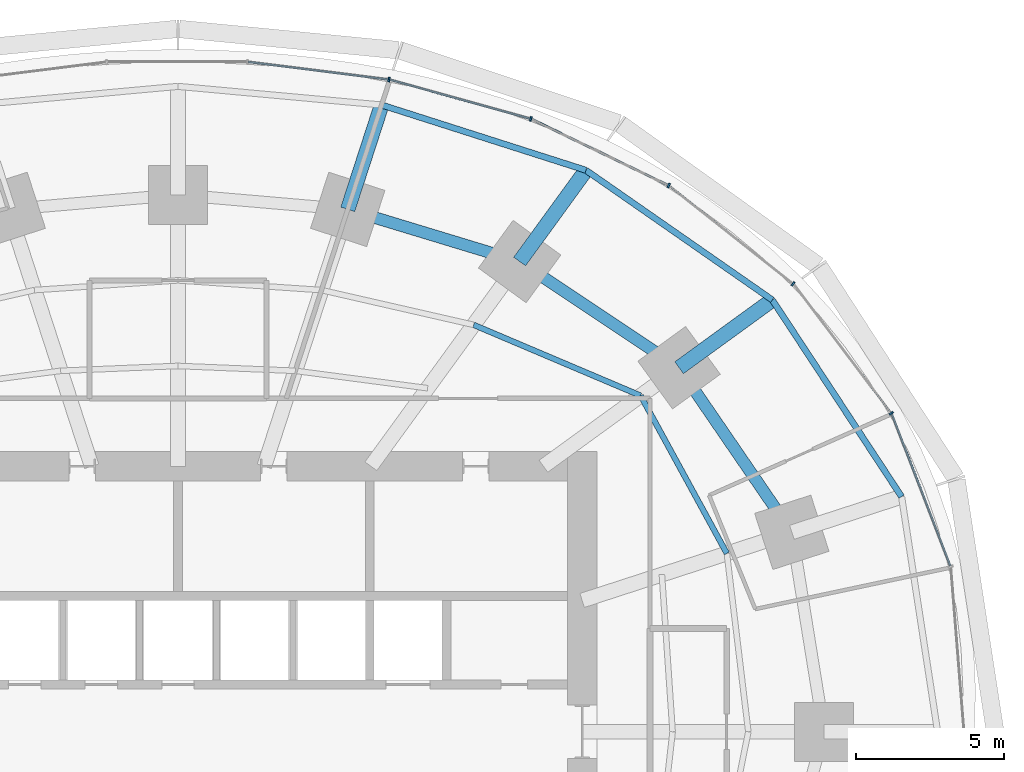
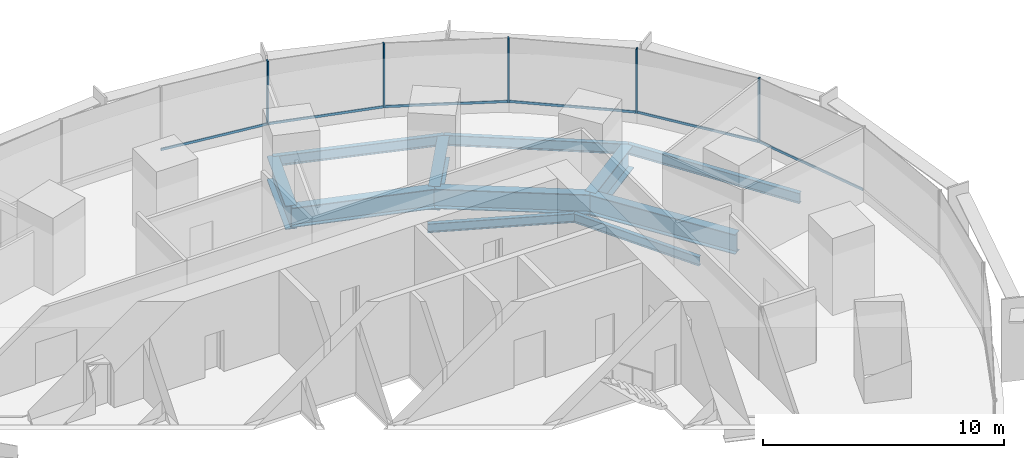
# One storey, part 9 of 15: 11 beams, 11 members, 2 elements without a shape of their own.
"""IFC4 building model written with IfcOpenShell, lengths in metres."""

from ifc_helpers import new_model, si_unit, direction, frame, origin, origin_2d, place, context, subcontext, project, spatial, rectangle, i_section, extrude, material, material_profile, profile_set, type_object, element, aggregate, save


model = new_model("IFC4")

# Units and contexts
model_context = context("Model", 3, precision=1e-05, world=origin(), true_north=direction((0.0, 1.0)))
body_context = subcontext(model_context, "Body", "Model", "MODEL_VIEW")
ifc_project = project(units=[si_unit("LENGTHUNIT", "METRE"), si_unit("AREAUNIT", "SQUARE_METRE"), si_unit("VOLUMEUNIT", "CUBIC_METRE"), si_unit("PLANEANGLEUNIT", "RADIAN"), si_unit("MASSUNIT", "GRAM", prefix="KILO")], contexts=[model_context])

# Site, building, storey
site_placement = place(None, origin())
site = spatial("IfcSite", under=ifc_project, at=site_placement, CompositionType="ELEMENT")
building_placement = place(site_placement, origin())
building = spatial("IfcBuilding", under=site, at=building_placement, Name="Marramba Exchange Tower", CompositionType="ELEMENT")
storey_placement = place(building_placement, frame((0.0, 0.0, 65.800048828125)))
storey = spatial("IfcBuildingStorey", under=building, at=storey_placement, Name="L15", CompositionType="ELEMENT", Elevation=65.800048828125)

# Beams
ifc_material_1 = material(Name="Steel AS/NZS 3679.2 grade 300", Category="steel")
ifc_material_profile_1 = material_profile(ifc_material_1, i_section(OverallWidth=0.5, OverallDepth=1.199951171875, WebThickness=0.01611328125, FlangeThickness=0.0400390625, at=origin_2d()), Name="1200WB455")
ifc_profile_set_1 = profile_set([ifc_material_profile_1], Name="Steel AS/NZS 3679.2 grade 300")
beam_type_1 = type_object("IfcBeamType", Name="Cantilever girder 1200WB455", PredefinedType="BEAM", material=ifc_profile_set_1)
beam_1_placement = place(storey_placement, frame((16.98583984375, 12.3408203125, -0.760009765625), z_axis=(0.808987260856, 0.587826174793, 0.0), x_axis=(-0.587826174793, 0.808987260856, 0.0)))
element("IfcBeam", 1, at=beam_1_placement, inside=storey, type_object=beam_type_1, Name="Cantilever girder L15 TC03", PredefinedType="BEAM", context=body_context, shape_type="SweptSolid", body=[
    extrude(i_section(OverallWidth=0.5, OverallDepth=1.199951171875, WebThickness=0.01611328125, FlangeThickness=0.0400390625, at=origin_2d()), origin(), (0.0, 0.0, 1.0), 3.90771484375),
])
beam_2_placement = place(storey_placement, frame((11.581298828125, 15.9404296875, -0.760009765625), z_axis=(0.587795827483, 0.809009310944, 0.0), x_axis=(-0.809009310944, 0.587795827483, 0.0)))
element("IfcBeam", 2, at=beam_2_placement, inside=storey, type_object=beam_type_1, Name="Cantilever girder L15 TC04", PredefinedType="BEAM", context=body_context, shape_type="SweptSolid", body=[
    extrude(i_section(OverallWidth=0.5, OverallDepth=1.199951171875, WebThickness=0.01611328125, FlangeThickness=0.0400390625, at=origin_2d()), origin(), (0.0, 0.0, 1.0), 3.82421875),
])
beam_3_placement = place(storey_placement, frame((5.75390625, 17.70849609375, -0.760009765625), z_axis=(0.308973290646, 0.951070715387, 0.0), x_axis=(-0.951070715387, 0.308973290646, 0.0)))
element("IfcBeam", 3, at=beam_3_placement, inside=storey, type_object=beam_type_1, Name="Cantilever girder L15 TC05", PredefinedType="BEAM", context=body_context, shape_type="SweptSolid", body=[
    extrude(i_section(OverallWidth=0.5, OverallDepth=1.199951171875, WebThickness=0.01611328125, FlangeThickness=0.0400390625, at=origin_2d()), origin(), (0.0, 0.0, 1.0), 3.72021484375),
])
ifc_material_2 = material(Name="Steel AS/NZS 3679.1 grade 300", Category="steel")
ifc_material_profile_2 = material_profile(ifc_material_2, i_section(OverallWidth=0.18994140625, OverallDepth=0.4541015625, WebThickness=0.008544921875, FlangeThickness=0.0126953125, FilletRadius=0.011474609375, at=origin_2d()), Name="460UB67.1")
ifc_profile_set_2 = profile_set([ifc_material_profile_2], Name="Steel AS/NZS 3679.1 grade 300")
beam_type_2 = type_object("IfcBeamType", Name="Floor joist 460UB67.1", PredefinedType="JOIST", material=ifc_profile_set_2)
beam_4_placement = place(storey_placement, frame((18.60546875, 6.04541015625, -0.386962890625), z_axis=(-0.479584443791, 0.877495732909, 0.0), x_axis=(-0.877495732909, -0.479584443791, 0.0)))
element("IfcBeam", 4, at=beam_4_placement, inside=storey, type_object=beam_type_2, Name="Joist L15 bay 02 row 2", PredefinedType="JOIST", context=body_context, shape_type="SweptSolid", body=[
    extrude(i_section(OverallWidth=0.18994140625, OverallDepth=0.4541015625, WebThickness=0.008544921875, FlangeThickness=0.0126953125, FilletRadius=0.011474609375, at=origin_2d()), origin(), (0.0, 0.0, 1.0), 6.094970703125),
])
beam_5_placement = place(storey_placement, frame((15.682373046875, 11.393798828125, -0.386962890625), z_axis=(-0.920674336375, 0.390331610738, 0.0), x_axis=(-0.390331610738, -0.920674336375, 0.0)))
element("IfcBeam", 5, at=beam_5_placement, inside=storey, type_object=beam_type_2, Name="Joist L15 bay 03 row 2", PredefinedType="JOIST", context=body_context, shape_type="SweptSolid", body=[
    extrude(i_section(OverallWidth=0.18994140625, OverallDepth=0.4541015625, WebThickness=0.008544921875, FlangeThickness=0.0126953125, FilletRadius=0.011474609375, at=origin_2d()), origin(), (0.0, 0.0, 1.0), 6.1484375),
])
ifc_material_profile_3 = material_profile(ifc_material_1, i_section(OverallWidth=0.39990234375, OverallDepth=1.0, WebThickness=0.01611328125, FlangeThickness=0.031982421875, at=origin_2d()), Name="1000WB322")
ifc_profile_set_3 = profile_set([ifc_material_profile_3], Name="Steel AS/NZS 3679.2 grade 300")
beam_type_3 = type_object("IfcBeamType", Name="Ring beam 1000WB322", PredefinedType="SPANDREL", material=ifc_profile_set_3)
beam_6_placement = place(storey_placement, frame((20.808349609375, 6.760986328125, -0.66015625), z_axis=(-0.56516002054, 0.824981303535, 0.0), x_axis=(-0.824981303535, -0.56516002054, 0.0)))
element("IfcBeam", 6, at=beam_6_placement, inside=storey, type_object=beam_type_3, Name="Ring beam L15 TC02-TC03", PredefinedType="SPANDREL", context=body_context, shape_type="SweptSolid", body=[
    extrude(i_section(OverallWidth=0.39990234375, OverallDepth=1.0, WebThickness=0.01611328125, FlangeThickness=0.031982421875, at=origin_2d()), origin(), (0.0, 0.0, 1.0), 6.763671875),
])
beam_7_placement = place(storey_placement, frame((16.98583984375, 12.3408203125, -0.66015625), z_axis=(-0.832293151443, 0.554335737673, 0.0), x_axis=(-0.554335737673, -0.832293151443, 0.0)))
element("IfcBeam", 7, at=beam_7_placement, inside=storey, type_object=beam_type_3, Name="Ring beam L15 TC03-TC04", PredefinedType="SPANDREL", context=body_context, shape_type="SweptSolid", body=[
    extrude(i_section(OverallWidth=0.39990234375, OverallDepth=1.0, WebThickness=0.01611328125, FlangeThickness=0.031982421875, at=origin_2d()), origin(), (0.0, 0.0, 1.0), 6.49365234375),
])
beam_8_placement = place(storey_placement, frame((11.581298828125, 15.9404296875, -0.66015625), z_axis=(-0.956924542524, 0.290336735387, 0.0), x_axis=(-0.290336735387, -0.956924542524, 0.0)))
element("IfcBeam", 8, at=beam_8_placement, inside=storey, type_object=beam_type_3, Name="Ring beam L15 TC04-TC05", PredefinedType="SPANDREL", context=body_context, shape_type="SweptSolid", body=[
    extrude(i_section(OverallWidth=0.39990234375, OverallDepth=1.0, WebThickness=0.01611328125, FlangeThickness=0.031982421875, at=origin_2d()), origin(), (0.0, 0.0, 1.0), 6.089599609375),
])
ifc_material_profile_4 = material_profile(ifc_material_2, i_section(OverallWidth=0.208984375, OverallDepth=0.528076171875, WebThickness=0.009521484375, FlangeThickness=0.01318359375, FilletRadius=0.013916015625, at=origin_2d()), Name="530UB82.0")
ifc_profile_set_4 = profile_set([ifc_material_profile_4], Name="Steel AS/NZS 3679.1 grade 300")
beam_type_4 = type_object("IfcBeamType", Name="Slab edge beam 530UB82.0", PredefinedType="SPANDREL", material=ifc_profile_set_4)
beam_9_placement = place(storey_placement, frame((24.528564453125, 7.9697265625, -0.424072265625), z_axis=(-0.549123544095, 0.835741188001, 0.0), x_axis=(-0.835741188001, -0.549123544095, 0.0)))
element("IfcBeam", 9, at=beam_9_placement, inside=storey, type_object=beam_type_4, Name="Slab edge beam L15 TC02-TC03", PredefinedType="SPANDREL", context=body_context, shape_type="SweptSolid", body=[
    extrude(i_section(OverallWidth=0.208984375, OverallDepth=0.528076171875, WebThickness=0.009521484375, FlangeThickness=0.01318359375, FilletRadius=0.013916015625, at=origin_2d()), origin(), (0.0, 0.0, 1.0), 7.978759765625),
])
beam_10_placement = place(storey_placement, frame((20.147216796875, 14.637939453125, -0.424072265625), z_axis=(-0.820842487183, 0.571154629882, 0.0), x_axis=(-0.571154629882, -0.820842487183, 0.0)))
element("IfcBeam", 10, at=beam_10_placement, inside=storey, type_object=beam_type_4, Name="Slab edge beam L15 TC03-TC04", PredefinedType="SPANDREL", context=body_context, shape_type="SweptSolid", body=[
    extrude(i_section(OverallWidth=0.208984375, OverallDepth=0.528076171875, WebThickness=0.009521484375, FlangeThickness=0.01318359375, FilletRadius=0.013916015625, at=origin_2d()), origin(), (0.0, 0.0, 1.0), 7.697021484375),
])
beam_11_placement = place(storey_placement, frame((13.8291015625, 19.0341796875, -0.424072265625), z_axis=(-0.952577642997, 0.304295635957, 0.0), x_axis=(-0.304295635957, -0.952577642997, 0.0)))
element("IfcBeam", 11, at=beam_11_placement, inside=storey, type_object=beam_type_4, Name="Slab edge beam L15 TC04-TC05", PredefinedType="SPANDREL", context=body_context, shape_type="SweptSolid", body=[
    extrude(i_section(OverallWidth=0.208984375, OverallDepth=0.528076171875, WebThickness=0.009521484375, FlangeThickness=0.01318359375, FilletRadius=0.013916015625, at=origin_2d()), origin(), (0.0, 0.0, 1.0), 7.2705078125),
])

# Curtain wall, members
ifc_material_3 = material(Name="Aluminium framing, bronze anodised", Category="aluminium")
curtain_wall_type = type_object("IfcCurtainWallType", Name="Trading floor ribbon curtain wall", PredefinedType="USERDEFINED", material=ifc_material_3)
curtain_wall_1_placement = place(storey_placement, origin())
curtain_wall_1 = element("IfcCurtainWall", 12, at=curtain_wall_1_placement, inside=storey, type_object=curtain_wall_type, Name="Curtain wall CW3 L15 F01-F05", ObjectType="RIBBON CURTAIN WALL", PredefinedType="USERDEFINED")
ifc_material_4 = material(Name="Aluminium mullion, bronze anodised", Category="aluminium")
ifc_material_profile_5 = material_profile(ifc_material_4, rectangle(XDim=0.159912109375, YDim=0.06005859375, at=origin_2d()), Name="CW3 mullion 60x160")
ifc_profile_set_5 = profile_set([ifc_material_profile_5], Name="Aluminium mullion, bronze anodised")
member_type_1 = type_object("IfcMemberType", Name="Trading floor ribbon curtain wall mullion", PredefinedType="MULLION", material=ifc_profile_set_5)
member_1_placement = place(storey_placement, frame((24.178466796875, 10.796875, 0.800048828125), z_axis=(0.0, 0.0, 1.0), x_axis=(-0.797748922445, -0.602989765036, 0.0)))
member_1 = element("IfcMember", 13, at=member_1_placement, type_object=member_type_1, Name="CW3 mullion 1", PredefinedType="MULLION", context=body_context, shape_type="SweptSolid", body=[
    extrude(rectangle(XDim=0.159912109375, YDim=0.06005859375, at=origin_2d()), origin(), (0.0, 0.0, 1.0), 3.239990234375),
])
member_2_placement = place(storey_placement, frame((20.851806640625, 15.185546875, 0.800048828125), z_axis=(0.0, 0.0, 1.0), x_axis=(-0.620649730166, -0.784087949432, 0.0)))
member_2 = element("IfcMember", 14, at=member_2_placement, type_object=member_type_1, Name="CW3 mullion 1", PredefinedType="MULLION", context=body_context, shape_type="SweptSolid", body=[
    extrude(rectangle(XDim=0.159912109375, YDim=0.06005859375, at=origin_2d()), origin(), (0.0, 0.0, 1.0), 3.239990234375),
])
member_3_placement = place(storey_placement, frame((16.63330078125, 18.516357421875, 0.800048828125), z_axis=(0.0, 0.0, 1.0), x_axis=(-0.43596538664, -0.899963433508, 0.0)))
member_3 = element("IfcMember", 15, at=member_3_placement, type_object=member_type_1, Name="CW3 mullion 1", PredefinedType="MULLION", context=body_context, shape_type="SweptSolid", body=[
    extrude(rectangle(XDim=0.159912109375, YDim=0.06005859375, at=origin_2d()), origin(), (0.0, 0.0, 1.0), 3.239990234375),
])

curtain_wall_2_placement = place(storey_placement, origin())
curtain_wall_2 = element("IfcCurtainWall", 16, at=curtain_wall_2_placement, inside=storey, type_object=curtain_wall_type, Name="Curtain wall CW3 L15 F06-F10", ObjectType="RIBBON CURTAIN WALL", PredefinedType="USERDEFINED")
member_4_placement = place(storey_placement, frame((11.96044921875, 20.774169921875, 0.800048828125), z_axis=(0.0, 0.0, 1.0), x_axis=(-0.267808735815, -0.963472096649, 0.0)))
member_4 = element("IfcMember", 17, at=member_4_placement, type_object=member_type_1, Name="CW3 mullion 1", PredefinedType="MULLION", context=body_context, shape_type="SweptSolid", body=[
    extrude(rectangle(XDim=0.159912109375, YDim=0.06005859375, at=origin_2d()), origin(), (0.0, 0.0, 1.0), 3.239990234375),
])
member_5_placement = place(storey_placement, frame((7.15185546875, 22.106201171875, 0.800048828125), z_axis=(0.0, 0.0, 1.0), x_axis=(-0.124872723099, -0.992172768738, 0.0)))
member_5 = element("IfcMember", 18, at=member_5_placement, type_object=member_type_1, Name="CW3 mullion 1", PredefinedType="MULLION", context=body_context, shape_type="SweptSolid", body=[
    extrude(rectangle(XDim=0.159912109375, YDim=0.06005859375, at=origin_2d()), origin(), (0.0, 0.0, 1.0), 3.239990234375),
])

# Member
ifc_material_5 = material(Name="Aluminium transom, bronze anodised", Category="aluminium")
ifc_material_profile_6 = material_profile(ifc_material_5, rectangle(XDim=0.06005859375, YDim=0.1201171875, at=origin_2d()), Name="CW3 transom 60x120")
ifc_profile_set_6 = profile_set([ifc_material_profile_6], Name="Aluminium transom, bronze anodised")
member_type_2 = type_object("IfcMemberType", Name="Trading floor ribbon curtain wall transom", PredefinedType="USERDEFINED", material=ifc_profile_set_6)
member_6_placement = place(storey_placement, frame((26.179931640625, 5.625244140625, 0.829833984375), z_axis=(-0.359533581349, 0.933132147063, 0.0), x_axis=(-0.933132147063, -0.359533581349, 0.0)))
member_6 = element("IfcMember", 19, at=member_6_placement, type_object=member_type_2, Name="CW3 sill transom", ObjectType="TRANSOM", PredefinedType="USERDEFINED", context=body_context, shape_type="SweptSolid", body=[
    extrude(rectangle(XDim=0.06005859375, YDim=0.1201171875, at=origin_2d()), origin(), (0.0, 0.0, 1.0), 5.5166015625),
])

member_7_placement = place(storey_placement, frame((24.160400390625, 10.82080078125, 0.829833984375), z_axis=(-0.602985866158, 0.797751869452, 0.0), x_axis=(-0.797751869452, -0.602985866158, 0.0)))
member_7 = element("IfcMember", 20, at=member_7_placement, type_object=member_type_2, Name="CW3 sill transom", ObjectType="TRANSOM", PredefinedType="USERDEFINED", context=body_context, shape_type="SweptSolid", body=[
    extrude(rectangle(XDim=0.06005859375, YDim=0.1201171875, at=origin_2d()), origin(), (0.0, 0.0, 1.0), 5.44775390625),
])

member_8_placement = place(storey_placement, frame((20.828369140625, 15.2041015625, 0.829833984375), z_axis=(-0.784097975735, 0.620637063385, 0.0), x_axis=(-0.620637063385, -0.784097975735, 0.0)))
member_8 = element("IfcMember", 21, at=member_8_placement, type_object=member_type_2, Name="CW3 sill transom", ObjectType="TRANSOM", PredefinedType="USERDEFINED", context=body_context, shape_type="SweptSolid", body=[
    extrude(rectangle(XDim=0.06005859375, YDim=0.1201171875, at=origin_2d()), origin(), (0.0, 0.0, 1.0), 5.315673828125),
])

member_9_placement = place(storey_placement, frame((16.6064453125, 18.529296875, 0.829833984375), z_axis=(-0.89995331781, 0.43598626786, 0.0), x_axis=(-0.43598626786, -0.89995331781, 0.0)))
member_9 = element("IfcMember", 22, at=member_9_placement, type_object=member_type_2, Name="CW3 sill transom", ObjectType="TRANSOM", PredefinedType="USERDEFINED", context=body_context, shape_type="SweptSolid", body=[
    extrude(rectangle(XDim=0.06005859375, YDim=0.1201171875, at=origin_2d()), origin(), (0.0, 0.0, 1.0), 5.13037109375),
])

aggregate(curtain_wall_1, [member_6, member_1, member_7, member_2, member_8, member_3, member_9])

member_10_placement = place(storey_placement, frame((11.931396484375, 20.7822265625, 0.829833984375), z_axis=(-0.963468938163, 0.267820098565, 0.0), x_axis=(-0.267820098565, -0.963468938163, 0.0)))
member_10 = element("IfcMember", 23, at=member_10_placement, type_object=member_type_2, Name="CW3 sill transom", ObjectType="TRANSOM", PredefinedType="USERDEFINED", context=body_context, shape_type="SweptSolid", body=[
    extrude(rectangle(XDim=0.06005859375, YDim=0.1201171875, at=origin_2d()), origin(), (0.0, 0.0, 1.0), 4.929931640625),
])

member_11_placement = place(storey_placement, frame((7.1220703125, 22.10986328125, 0.829833984375), z_axis=(-0.99216810728, 0.124909755012, 0.0), x_axis=(-0.124909755012, -0.99216810728, 0.0)))
member_11 = element("IfcMember", 24, at=member_11_placement, type_object=member_type_2, Name="CW3 sill transom", ObjectType="TRANSOM", PredefinedType="USERDEFINED", context=body_context, shape_type="SweptSolid", body=[
    extrude(rectangle(XDim=0.06005859375, YDim=0.1201171875, at=origin_2d()), origin(), (0.0, 0.0, 1.0), 4.77294921875),
])

aggregate(curtain_wall_2, [member_4, member_10, member_5, member_11])

save(model, "model.ifc")
